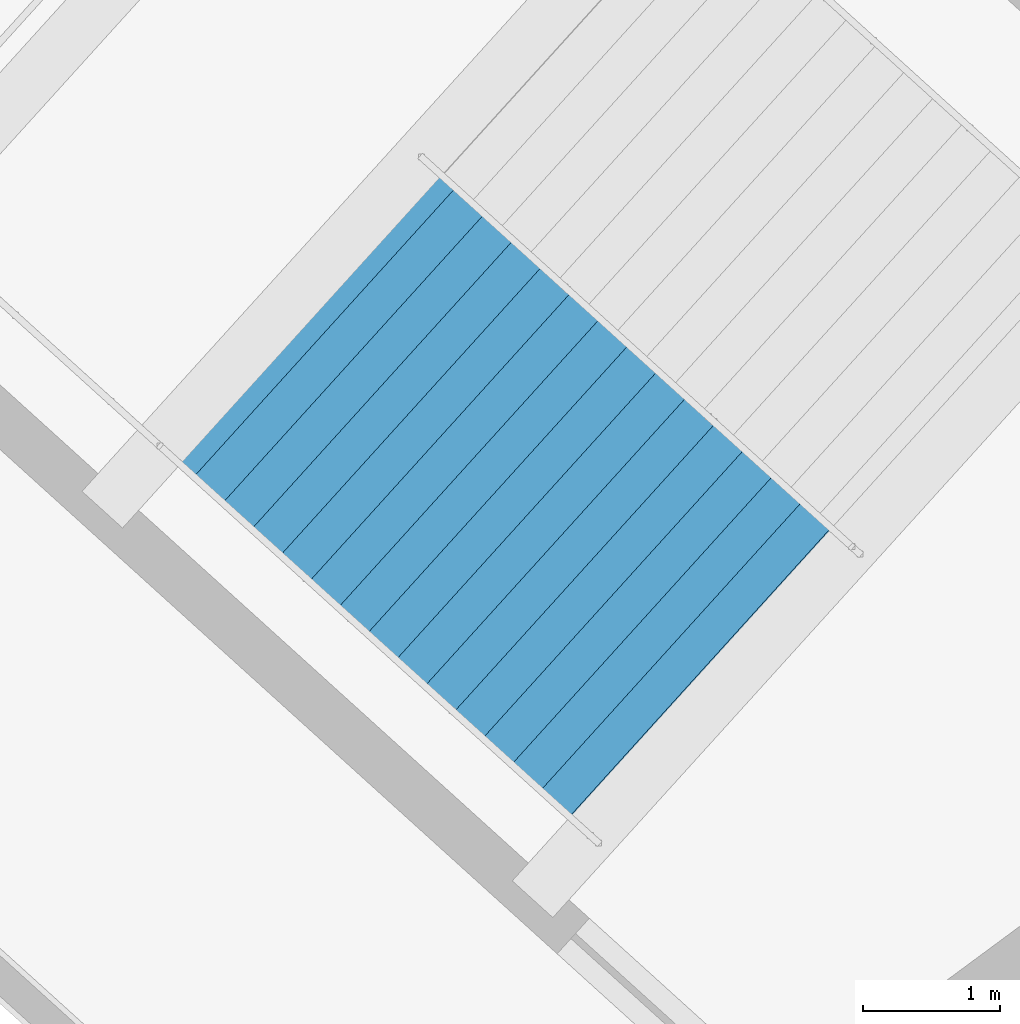
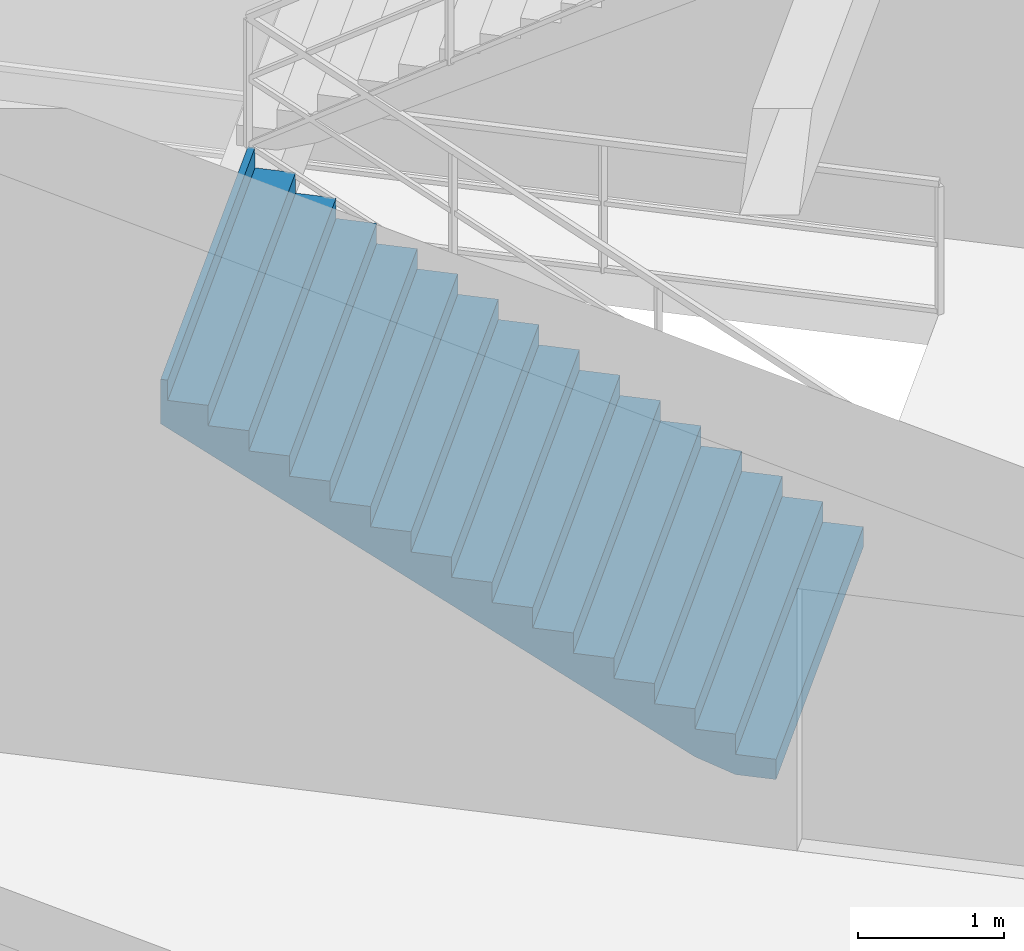
# One storey, part 158 of 162: 1 stair flight, 1 element without a shape of its own.
"""IFC4 building model written with IfcOpenShell, lengths in metres."""

from ifc_helpers import new_model, si_unit, direction, frame, origin, place, context, subcontext, project, spatial, polygons, material, type_object, element, aggregate, save


model = new_model("IFC4")

# Units and contexts
model_context = context("Model", 3, precision=1e-05, world=origin(), true_north=direction((0.0, 1.0)))
body_context = subcontext(model_context, "Body", "Model", "MODEL_VIEW")
ifc_project = project(units=[si_unit("LENGTHUNIT", "METRE"), si_unit("AREAUNIT", "SQUARE_METRE"), si_unit("VOLUMEUNIT", "CUBIC_METRE"), si_unit("PLANEANGLEUNIT", "RADIAN"), si_unit("MASSUNIT", "GRAM", prefix="KILO")], contexts=[model_context])

# Site, building, storey
site_placement = place(None, origin())
site = spatial("IfcSite", under=ifc_project, at=site_placement, CompositionType="ELEMENT")
building_placement = place(site_placement, origin())
building = spatial("IfcBuilding", under=site, at=building_placement, Name="Kazemori Nagisa Stadium", CompositionType="ELEMENT")
storey_placement = place(building_placement, frame((0.0, 0.0, 36.719970703125)))
storey = spatial("IfcBuildingStorey", under=building, at=storey_placement, Name="RF", CompositionType="ELEMENT", Elevation=36.719970703125)

# Stair, stair flight
ifc_material = material(Name="Concrete C36/45 (Fc36)", Category="concrete")
stair_type = type_object("IfcStairType", Name="Stair_CORE_32", PredefinedType="TWO_STRAIGHT_RUN_STAIR", material=ifc_material)
stair_placement = place(storey_placement, origin())
stair = element("IfcStair", 1, at=stair_placement, inside=storey, type_object=stair_type, Name="Exit stair ST01 RF", PredefinedType="TWO_STRAIGHT_RUN_STAIR")
stair_flight_type = type_object("IfcStairFlightType", Name="Flight_CORE_16", PredefinedType="STRAIGHT", material=ifc_material)
stair_flight_placement = place(storey_placement, frame((191.89208984375, 156.3369140625, 0.0), z_axis=(0.0, 0.0, 1.0), x_axis=(-0.741354464355, 0.671113670089, 0.0)))
stair_flight = element("IfcStairFlight", 2, at=stair_flight_placement, type_object=stair_flight_type, Name="Exit stair ST01 RF flight 1", NumberOfRisers=16, NumberOfTreads=15, PredefinedType="STRAIGHT", RiserHeight=0.17, TreadLength=0.285, context=body_context, shape_type="Tessellation", body=[
    polygons([(0.0, -1.425048828125, 0.0), (0.0, -1.425048828125, 0.169921875), (0.284912109375, -1.425048828125, 0.169921875), (0.284912109375, -1.425048828125, 0.340087890625), (0.570068359375, -1.425048828125, 0.340087890625), (0.570068359375, -1.425048828125, 0.510009765625), (0.85498046875, -1.425048828125, 0.510009765625), (0.85498046875, -1.425048828125, 0.679931640625), (1.139892578125, -1.425048828125, 0.679931640625), (1.139892578125, -1.425048828125, 0.85009765625), (1.425048828125, -1.425048828125, 0.85009765625), (1.425048828125, -1.425048828125, 1.02001953125), (1.7099609375, -1.425048828125, 1.02001953125), (1.7099609375, -1.425048828125, 1.18994140625), (1.9951171875, -1.425048828125, 1.18994140625), (1.9951171875, -1.425048828125, 1.360107421875), (2.280029296875, -1.425048828125, 1.360107421875), (2.280029296875, -1.425048828125, 1.530029296875), (2.56494140625, -1.425048828125, 1.530029296875), (2.56494140625, -1.425048828125, 1.699951171875), (2.85009765625, -1.425048828125, 1.699951171875), (2.85009765625, -1.425048828125, 1.8701171875), (3.135009765625, -1.425048828125, 1.8701171875), (3.135009765625, -1.425048828125, 2.0400390625), (3.419921875, -1.425048828125, 2.0400390625), (3.419921875, -1.425048828125, 2.2099609375), (3.705078125, -1.425048828125, 2.2099609375), (3.705078125, -1.425048828125, 2.3798828125), (3.989990234375, -1.425048828125, 2.3798828125), (3.989990234375, -1.425048828125, 2.550048828125), (4.27490234375, -1.425048828125, 2.550048828125), (4.27490234375, -1.425048828125, 2.719970703125), (4.324951171875, -1.425048828125, 2.719970703125), (4.324951171875, -1.425048828125, 2.346923828125), (4.27490234375, -1.425048828125, 2.317138671875), (3.989990234375, -1.425048828125, 2.147216796875), (3.705078125, -1.425048828125, 1.977294921875), (3.419921875, -1.425048828125, 1.80712890625), (3.135009765625, -1.425048828125, 1.63720703125), (2.85009765625, -1.425048828125, 1.46728515625), (2.56494140625, -1.425048828125, 1.297119140625), (2.280029296875, -1.425048828125, 1.127197265625), (1.9951171875, -1.425048828125, 0.957275390625), (1.7099609375, -1.425048828125, 0.787109375), (1.425048828125, -1.425048828125, 0.6171875), (1.139892578125, -1.425048828125, 0.447265625), (0.85498046875, -1.425048828125, 0.277099609375), (0.570068359375, -1.425048828125, 0.107177734375), (0.284912109375, -1.425048828125, 0.0), (0.0, -0.08544921875, 0.0), (0.0, -0.08544921875, 0.169921875), (0.284912109375, -0.08544921875, 0.169921875), (0.284912109375, -0.08544921875, 0.340087890625), (0.570068359375, -0.08544921875, 0.340087890625), (0.570068359375, -0.08544921875, 0.510009765625), (0.85498046875, -0.08544921875, 0.510009765625), (0.85498046875, -0.08544921875, 0.679931640625), (1.139892578125, -0.08544921875, 0.679931640625), (1.139892578125, -0.08544921875, 0.85009765625), (1.425048828125, -0.08544921875, 0.85009765625), (1.425048828125, -0.08544921875, 1.02001953125), (1.7099609375, -0.08544921875, 1.02001953125), (1.7099609375, -0.08544921875, 1.18994140625), (1.9951171875, -0.08544921875, 1.18994140625), (1.9951171875, -0.08544921875, 1.360107421875), (2.280029296875, -0.08544921875, 1.360107421875), (2.280029296875, -0.08544921875, 1.530029296875), (2.56494140625, -0.08544921875, 1.530029296875), (2.56494140625, -0.08544921875, 1.699951171875), (2.85009765625, -0.08544921875, 1.699951171875), (2.85009765625, -0.08544921875, 1.8701171875), (3.135009765625, -0.08544921875, 1.8701171875), (3.135009765625, -0.08544921875, 2.0400390625), (3.419921875, -0.08544921875, 2.0400390625), (3.419921875, -0.08544921875, 2.2099609375), (3.705078125, -0.08544921875, 2.2099609375), (3.705078125, -0.08544921875, 2.3798828125), (3.989990234375, -0.08544921875, 2.3798828125), (3.989990234375, -0.08544921875, 2.550048828125), (4.27490234375, -0.08544921875, 2.550048828125), (4.27490234375, -0.08544921875, 2.719970703125), (4.324951171875, -0.08544921875, 2.719970703125), (4.324951171875, -0.08544921875, 2.346923828125), (4.27490234375, -0.08544921875, 2.317138671875), (3.989990234375, -0.08544921875, 2.147216796875), (3.705078125, -0.08544921875, 1.977294921875), (3.419921875, -0.08544921875, 1.80712890625), (3.135009765625, -0.08544921875, 1.63720703125), (2.85009765625, -0.08544921875, 1.46728515625), (2.56494140625, -0.08544921875, 1.297119140625), (2.280029296875, -0.08544921875, 1.127197265625), (1.9951171875, -0.08544921875, 0.957275390625), (1.7099609375, -0.08544921875, 0.787109375), (1.425048828125, -0.08544921875, 0.6171875), (1.139892578125, -0.08544921875, 0.447265625), (0.85498046875, -0.08544921875, 0.277099609375), (0.570068359375, -0.08544921875, 0.107177734375), (0.284912109375, -0.08544921875, 0.0), (0.0, 0.0, 0.0), (0.0, 0.0, 0.169921875), (0.284912109375, 0.0, 0.169921875), (0.284912109375, 0.0, 0.340087890625), (0.570068359375, 0.0, 0.340087890625), (0.570068359375, 0.0, 0.510009765625), (0.85498046875, 0.0, 0.510009765625), (0.85498046875, 0.0, 0.679931640625), (1.139892578125, 0.0, 0.679931640625), (1.139892578125, 0.0, 0.85009765625), (1.425048828125, 0.0, 0.85009765625), (1.425048828125, 0.0, 1.02001953125), (1.7099609375, 0.0, 1.02001953125), (1.7099609375, 0.0, 1.18994140625), (1.9951171875, 0.0, 1.18994140625), (1.9951171875, 0.0, 1.360107421875), (2.280029296875, 0.0, 1.360107421875), (2.280029296875, 0.0, 1.530029296875), (2.56494140625, 0.0, 1.530029296875), (2.56494140625, 0.0, 1.699951171875), (2.85009765625, 0.0, 1.699951171875), (2.85009765625, 0.0, 1.8701171875), (3.135009765625, 0.0, 1.8701171875), (3.135009765625, 0.0, 2.0400390625), (3.419921875, 0.0, 2.0400390625), (3.419921875, 0.0, 2.2099609375), (3.705078125, 0.0, 2.2099609375), (3.705078125, 0.0, 2.3798828125), (3.989990234375, 0.0, 2.3798828125), (3.989990234375, 0.0, 2.550048828125), (4.27490234375, 0.0, 2.550048828125), (4.27490234375, 0.0, 2.719970703125), (4.324951171875, 0.0, 2.719970703125), (4.324951171875, 0.0, 2.346923828125), (4.27490234375, 0.0, 2.317138671875), (3.989990234375, 0.0, 2.147216796875), (3.705078125, 0.0, 1.977294921875), (3.419921875, 0.0, 1.80712890625), (3.135009765625, 0.0, 1.63720703125), (2.85009765625, 0.0, 1.46728515625), (2.56494140625, 0.0, 1.297119140625), (2.280029296875, 0.0, 1.127197265625), (1.9951171875, 0.0, 0.957275390625), (1.7099609375, 0.0, 0.787109375), (1.425048828125, 0.0, 0.6171875), (1.139892578125, 0.0, 0.447265625), (0.85498046875, 0.0, 0.277099609375), (0.570068359375, 0.0, 0.107177734375), (0.284912109375, 0.0, 0.0), (0.0, 0.08544921875, 0.0), (0.0, 0.08544921875, 0.169921875), (0.284912109375, 0.08544921875, 0.169921875), (0.284912109375, 0.08544921875, 0.340087890625), (0.570068359375, 0.08544921875, 0.340087890625), (0.570068359375, 0.08544921875, 0.510009765625), (0.85498046875, 0.08544921875, 0.510009765625), (0.85498046875, 0.08544921875, 0.679931640625), (1.139892578125, 0.08544921875, 0.679931640625), (1.139892578125, 0.08544921875, 0.85009765625), (1.425048828125, 0.08544921875, 0.85009765625), (1.425048828125, 0.08544921875, 1.02001953125), (1.7099609375, 0.08544921875, 1.02001953125), (1.7099609375, 0.08544921875, 1.18994140625), (1.9951171875, 0.08544921875, 1.18994140625), (1.9951171875, 0.08544921875, 1.360107421875), (2.280029296875, 0.08544921875, 1.360107421875), (2.280029296875, 0.08544921875, 1.530029296875), (2.56494140625, 0.08544921875, 1.530029296875), (2.56494140625, 0.08544921875, 1.699951171875), (2.85009765625, 0.08544921875, 1.699951171875), (2.85009765625, 0.08544921875, 1.8701171875), (3.135009765625, 0.08544921875, 1.8701171875), (3.135009765625, 0.08544921875, 2.0400390625), (3.419921875, 0.08544921875, 2.0400390625), (3.419921875, 0.08544921875, 2.2099609375), (3.705078125, 0.08544921875, 2.2099609375), (3.705078125, 0.08544921875, 2.3798828125), (3.989990234375, 0.08544921875, 2.3798828125), (3.989990234375, 0.08544921875, 2.550048828125), (4.27490234375, 0.08544921875, 2.550048828125), (4.27490234375, 0.08544921875, 2.719970703125), (4.324951171875, 0.08544921875, 2.719970703125), (4.324951171875, 0.08544921875, 2.346923828125), (4.27490234375, 0.08544921875, 2.317138671875), (3.989990234375, 0.08544921875, 2.147216796875), (3.705078125, 0.08544921875, 1.977294921875), (3.419921875, 0.08544921875, 1.80712890625), (3.135009765625, 0.08544921875, 1.63720703125), (2.85009765625, 0.08544921875, 1.46728515625), (2.56494140625, 0.08544921875, 1.297119140625), (2.280029296875, 0.08544921875, 1.127197265625), (1.9951171875, 0.08544921875, 0.957275390625), (1.7099609375, 0.08544921875, 0.787109375), (1.425048828125, 0.08544921875, 0.6171875), (1.139892578125, 0.08544921875, 0.447265625), (0.85498046875, 0.08544921875, 0.277099609375), (0.570068359375, 0.08544921875, 0.107177734375), (0.284912109375, 0.08544921875, 0.0), (0.0, 1.425048828125, 0.0), (0.0, 1.425048828125, 0.169921875), (0.284912109375, 1.425048828125, 0.169921875), (0.284912109375, 1.425048828125, 0.340087890625), (0.570068359375, 1.425048828125, 0.340087890625), (0.570068359375, 1.425048828125, 0.510009765625), (0.85498046875, 1.425048828125, 0.510009765625), (0.85498046875, 1.425048828125, 0.679931640625), (1.139892578125, 1.425048828125, 0.679931640625), (1.139892578125, 1.425048828125, 0.85009765625), (1.425048828125, 1.425048828125, 0.85009765625), (1.425048828125, 1.425048828125, 1.02001953125), (1.7099609375, 1.425048828125, 1.02001953125), (1.7099609375, 1.425048828125, 1.18994140625), (1.9951171875, 1.425048828125, 1.18994140625), (1.9951171875, 1.425048828125, 1.360107421875), (2.280029296875, 1.425048828125, 1.360107421875), (2.280029296875, 1.425048828125, 1.530029296875), (2.56494140625, 1.425048828125, 1.530029296875), (2.56494140625, 1.425048828125, 1.699951171875), (2.85009765625, 1.425048828125, 1.699951171875), (2.85009765625, 1.425048828125, 1.8701171875), (3.135009765625, 1.425048828125, 1.8701171875), (3.135009765625, 1.425048828125, 2.0400390625), (3.419921875, 1.425048828125, 2.0400390625), (3.419921875, 1.425048828125, 2.2099609375), (3.705078125, 1.425048828125, 2.2099609375), (3.705078125, 1.425048828125, 2.3798828125), (3.989990234375, 1.425048828125, 2.3798828125), (3.989990234375, 1.425048828125, 2.550048828125), (4.27490234375, 1.425048828125, 2.550048828125), (4.27490234375, 1.425048828125, 2.719970703125), (4.324951171875, 1.425048828125, 2.719970703125), (4.324951171875, 1.425048828125, 2.346923828125), (4.27490234375, 1.425048828125, 2.317138671875), (3.989990234375, 1.425048828125, 2.147216796875), (3.705078125, 1.425048828125, 1.977294921875), (3.419921875, 1.425048828125, 1.80712890625), (3.135009765625, 1.425048828125, 1.63720703125), (2.85009765625, 1.425048828125, 1.46728515625), (2.56494140625, 1.425048828125, 1.297119140625), (2.280029296875, 1.425048828125, 1.127197265625), (1.9951171875, 1.425048828125, 0.957275390625), (1.7099609375, 1.425048828125, 0.787109375), (1.425048828125, 1.425048828125, 0.6171875), (1.139892578125, 1.425048828125, 0.447265625), (0.85498046875, 1.425048828125, 0.277099609375), (0.570068359375, 1.425048828125, 0.107177734375), (0.284912109375, 1.425048828125, 0.0)], [[[1, 2, 51]], [[1, 51, 50]], [[2, 3, 52]], [[2, 52, 51]], [[3, 4, 53]], [[3, 53, 52]], [[4, 5, 54]], [[4, 54, 53]], [[5, 6, 55]], [[5, 55, 54]], [[6, 7, 56]], [[6, 56, 55]], [[7, 8, 57]], [[7, 57, 56]], [[8, 9, 58]], [[8, 58, 57]], [[9, 10, 59]], [[9, 59, 58]], [[10, 11, 60]], [[10, 60, 59]], [[11, 12, 61]], [[11, 61, 60]], [[12, 13, 62]], [[12, 62, 61]], [[13, 14, 63]], [[13, 63, 62]], [[14, 15, 64]], [[14, 64, 63]], [[15, 16, 65]], [[15, 65, 64]], [[16, 17, 66]], [[16, 66, 65]], [[17, 18, 67]], [[17, 67, 66]], [[18, 19, 68]], [[18, 68, 67]], [[19, 20, 69]], [[19, 69, 68]], [[20, 21, 70]], [[20, 70, 69]], [[21, 22, 71]], [[21, 71, 70]], [[22, 23, 72]], [[22, 72, 71]], [[23, 24, 73]], [[23, 73, 72]], [[24, 25, 74]], [[24, 74, 73]], [[25, 26, 75]], [[25, 75, 74]], [[26, 27, 76]], [[26, 76, 75]], [[27, 28, 77]], [[27, 77, 76]], [[28, 29, 78]], [[28, 78, 77]], [[29, 30, 79]], [[29, 79, 78]], [[30, 31, 80]], [[30, 80, 79]], [[31, 32, 81]], [[31, 81, 80]], [[32, 33, 82]], [[32, 82, 81]], [[33, 34, 83]], [[33, 83, 82]], [[34, 35, 84]], [[34, 84, 83]], [[35, 36, 85]], [[35, 85, 84]], [[36, 37, 86]], [[36, 86, 85]], [[37, 38, 87]], [[37, 87, 86]], [[38, 39, 88]], [[38, 88, 87]], [[39, 40, 89]], [[39, 89, 88]], [[40, 41, 90]], [[40, 90, 89]], [[41, 42, 91]], [[41, 91, 90]], [[42, 43, 92]], [[42, 92, 91]], [[43, 44, 93]], [[43, 93, 92]], [[44, 45, 94]], [[44, 94, 93]], [[45, 46, 95]], [[45, 95, 94]], [[46, 47, 96]], [[46, 96, 95]], [[47, 48, 97]], [[47, 97, 96]], [[48, 49, 98]], [[48, 98, 97]], [[49, 1, 50]], [[49, 50, 98]], [[50, 51, 100]], [[50, 100, 99]], [[51, 52, 101]], [[51, 101, 100]], [[52, 53, 102]], [[52, 102, 101]], [[53, 54, 103]], [[53, 103, 102]], [[54, 55, 104]], [[54, 104, 103]], [[55, 56, 105]], [[55, 105, 104]], [[56, 57, 106]], [[56, 106, 105]], [[57, 58, 107]], [[57, 107, 106]], [[58, 59, 108]], [[58, 108, 107]], [[59, 60, 109]], [[59, 109, 108]], [[60, 61, 110]], [[60, 110, 109]], [[61, 62, 111]], [[61, 111, 110]], [[62, 63, 112]], [[62, 112, 111]], [[63, 64, 113]], [[63, 113, 112]], [[64, 65, 114]], [[64, 114, 113]], [[65, 66, 115]], [[65, 115, 114]], [[66, 67, 116]], [[66, 116, 115]], [[67, 68, 117]], [[67, 117, 116]], [[68, 69, 118]], [[68, 118, 117]], [[69, 70, 119]], [[69, 119, 118]], [[70, 71, 120]], [[70, 120, 119]], [[71, 72, 121]], [[71, 121, 120]], [[72, 73, 122]], [[72, 122, 121]], [[73, 74, 123]], [[73, 123, 122]], [[74, 75, 124]], [[74, 124, 123]], [[75, 76, 125]], [[75, 125, 124]], [[76, 77, 126]], [[76, 126, 125]], [[77, 78, 127]], [[77, 127, 126]], [[78, 79, 128]], [[78, 128, 127]], [[79, 80, 129]], [[79, 129, 128]], [[80, 81, 130]], [[80, 130, 129]], [[81, 82, 131]], [[81, 131, 130]], [[82, 83, 132]], [[82, 132, 131]], [[83, 84, 133]], [[83, 133, 132]], [[84, 85, 134]], [[84, 134, 133]], [[85, 86, 135]], [[85, 135, 134]], [[86, 87, 136]], [[86, 136, 135]], [[87, 88, 137]], [[87, 137, 136]], [[88, 89, 138]], [[88, 138, 137]], [[89, 90, 139]], [[89, 139, 138]], [[90, 91, 140]], [[90, 140, 139]], [[91, 92, 141]], [[91, 141, 140]], [[92, 93, 142]], [[92, 142, 141]], [[93, 94, 143]], [[93, 143, 142]], [[94, 95, 144]], [[94, 144, 143]], [[95, 96, 145]], [[95, 145, 144]], [[96, 97, 146]], [[96, 146, 145]], [[97, 98, 147]], [[97, 147, 146]], [[98, 50, 99]], [[98, 99, 147]], [[99, 100, 149]], [[99, 149, 148]], [[100, 101, 150]], [[100, 150, 149]], [[101, 102, 151]], [[101, 151, 150]], [[102, 103, 152]], [[102, 152, 151]], [[103, 104, 153]], [[103, 153, 152]], [[104, 105, 154]], [[104, 154, 153]], [[105, 106, 155]], [[105, 155, 154]], [[106, 107, 156]], [[106, 156, 155]], [[107, 108, 157]], [[107, 157, 156]], [[108, 109, 158]], [[108, 158, 157]], [[109, 110, 159]], [[109, 159, 158]], [[110, 111, 160]], [[110, 160, 159]], [[111, 112, 161]], [[111, 161, 160]], [[112, 113, 162]], [[112, 162, 161]], [[113, 114, 163]], [[113, 163, 162]], [[114, 115, 164]], [[114, 164, 163]], [[115, 116, 165]], [[115, 165, 164]], [[116, 117, 166]], [[116, 166, 165]], [[117, 118, 167]], [[117, 167, 166]], [[118, 119, 168]], [[118, 168, 167]], [[119, 120, 169]], [[119, 169, 168]], [[120, 121, 170]], [[120, 170, 169]], [[121, 122, 171]], [[121, 171, 170]], [[122, 123, 172]], [[122, 172, 171]], [[123, 124, 173]], [[123, 173, 172]], [[124, 125, 174]], [[124, 174, 173]], [[125, 126, 175]], [[125, 175, 174]], [[126, 127, 176]], [[126, 176, 175]], [[127, 128, 177]], [[127, 177, 176]], [[128, 129, 178]], [[128, 178, 177]], [[129, 130, 179]], [[129, 179, 178]], [[130, 131, 180]], [[130, 180, 179]], [[131, 132, 181]], [[131, 181, 180]], [[132, 133, 182]], [[132, 182, 181]], [[133, 134, 183]], [[133, 183, 182]], [[134, 135, 184]], [[134, 184, 183]], [[135, 136, 185]], [[135, 185, 184]], [[136, 137, 186]], [[136, 186, 185]], [[137, 138, 187]], [[137, 187, 186]], [[138, 139, 188]], [[138, 188, 187]], [[139, 140, 189]], [[139, 189, 188]], [[140, 141, 190]], [[140, 190, 189]], [[141, 142, 191]], [[141, 191, 190]], [[142, 143, 192]], [[142, 192, 191]], [[143, 144, 193]], [[143, 193, 192]], [[144, 145, 194]], [[144, 194, 193]], [[145, 146, 195]], [[145, 195, 194]], [[146, 147, 196]], [[146, 196, 195]], [[147, 99, 148]], [[147, 148, 196]], [[148, 149, 198]], [[148, 198, 197]], [[149, 150, 199]], [[149, 199, 198]], [[150, 151, 200]], [[150, 200, 199]], [[151, 152, 201]], [[151, 201, 200]], [[152, 153, 202]], [[152, 202, 201]], [[153, 154, 203]], [[153, 203, 202]], [[154, 155, 204]], [[154, 204, 203]], [[155, 156, 205]], [[155, 205, 204]], [[156, 157, 206]], [[156, 206, 205]], [[157, 158, 207]], [[157, 207, 206]], [[158, 159, 208]], [[158, 208, 207]], [[159, 160, 209]], [[159, 209, 208]], [[160, 161, 210]], [[160, 210, 209]], [[161, 162, 211]], [[161, 211, 210]], [[162, 163, 212]], [[162, 212, 211]], [[163, 164, 213]], [[163, 213, 212]], [[164, 165, 214]], [[164, 214, 213]], [[165, 166, 215]], [[165, 215, 214]], [[166, 167, 216]], [[166, 216, 215]], [[167, 168, 217]], [[167, 217, 216]], [[168, 169, 218]], [[168, 218, 217]], [[169, 170, 219]], [[169, 219, 218]], [[170, 171, 220]], [[170, 220, 219]], [[171, 172, 221]], [[171, 221, 220]], [[172, 173, 222]], [[172, 222, 221]], [[173, 174, 223]], [[173, 223, 222]], [[174, 175, 224]], [[174, 224, 223]], [[175, 176, 225]], [[175, 225, 224]], [[176, 177, 226]], [[176, 226, 225]], [[177, 178, 227]], [[177, 227, 226]], [[178, 179, 228]], [[178, 228, 227]], [[179, 180, 229]], [[179, 229, 228]], [[180, 181, 230]], [[180, 230, 229]], [[181, 182, 231]], [[181, 231, 230]], [[182, 183, 232]], [[182, 232, 231]], [[183, 184, 233]], [[183, 233, 232]], [[184, 185, 234]], [[184, 234, 233]], [[185, 186, 235]], [[185, 235, 234]], [[186, 187, 236]], [[186, 236, 235]], [[187, 188, 237]], [[187, 237, 236]], [[188, 189, 238]], [[188, 238, 237]], [[189, 190, 239]], [[189, 239, 238]], [[190, 191, 240]], [[190, 240, 239]], [[191, 192, 241]], [[191, 241, 240]], [[192, 193, 242]], [[192, 242, 241]], [[193, 194, 243]], [[193, 243, 242]], [[194, 195, 244]], [[194, 244, 243]], [[195, 196, 245]], [[195, 245, 244]], [[196, 148, 197]], [[196, 197, 245]], [[3, 2, 1]], [[197, 198, 199]], [[49, 3, 1]], [[197, 199, 245]], [[48, 3, 49]], [[245, 199, 244]], [[5, 3, 48]], [[244, 199, 201]], [[5, 4, 3]], [[199, 200, 201]], [[47, 5, 48]], [[244, 201, 243]], [[7, 5, 47]], [[243, 201, 203]], [[7, 6, 5]], [[201, 202, 203]], [[46, 7, 47]], [[243, 203, 242]], [[9, 7, 46]], [[242, 203, 205]], [[9, 8, 7]], [[203, 204, 205]], [[45, 9, 46]], [[242, 205, 241]], [[11, 9, 45]], [[241, 205, 207]], [[11, 10, 9]], [[205, 206, 207]], [[44, 11, 45]], [[241, 207, 240]], [[13, 11, 44]], [[240, 207, 209]], [[13, 12, 11]], [[207, 208, 209]], [[43, 13, 44]], [[240, 209, 239]], [[15, 13, 43]], [[239, 209, 211]], [[15, 14, 13]], [[209, 210, 211]], [[42, 15, 43]], [[239, 211, 238]], [[17, 15, 42]], [[238, 211, 213]], [[17, 16, 15]], [[211, 212, 213]], [[41, 17, 42]], [[238, 213, 237]], [[19, 17, 41]], [[237, 213, 215]], [[19, 18, 17]], [[213, 214, 215]], [[40, 19, 41]], [[237, 215, 236]], [[21, 19, 40]], [[236, 215, 217]], [[21, 20, 19]], [[215, 216, 217]], [[39, 21, 40]], [[236, 217, 235]], [[23, 21, 39]], [[235, 217, 219]], [[23, 22, 21]], [[217, 218, 219]], [[38, 23, 39]], [[235, 219, 234]], [[25, 23, 38]], [[234, 219, 221]], [[25, 24, 23]], [[219, 220, 221]], [[37, 25, 38]], [[234, 221, 233]], [[27, 25, 37]], [[233, 221, 223]], [[27, 26, 25]], [[221, 222, 223]], [[36, 27, 37]], [[233, 223, 232]], [[29, 27, 36]], [[232, 223, 225]], [[29, 28, 27]], [[223, 224, 225]], [[35, 29, 36]], [[232, 225, 231]], [[31, 29, 35]], [[231, 225, 227]], [[31, 30, 29]], [[225, 226, 227]], [[34, 31, 35]], [[231, 227, 230]], [[33, 31, 34]], [[230, 227, 229]], [[33, 32, 31]], [[227, 228, 229]]], closed=True),
])
aggregate(stair, [stair_flight])

save(model, "model.ifc")
